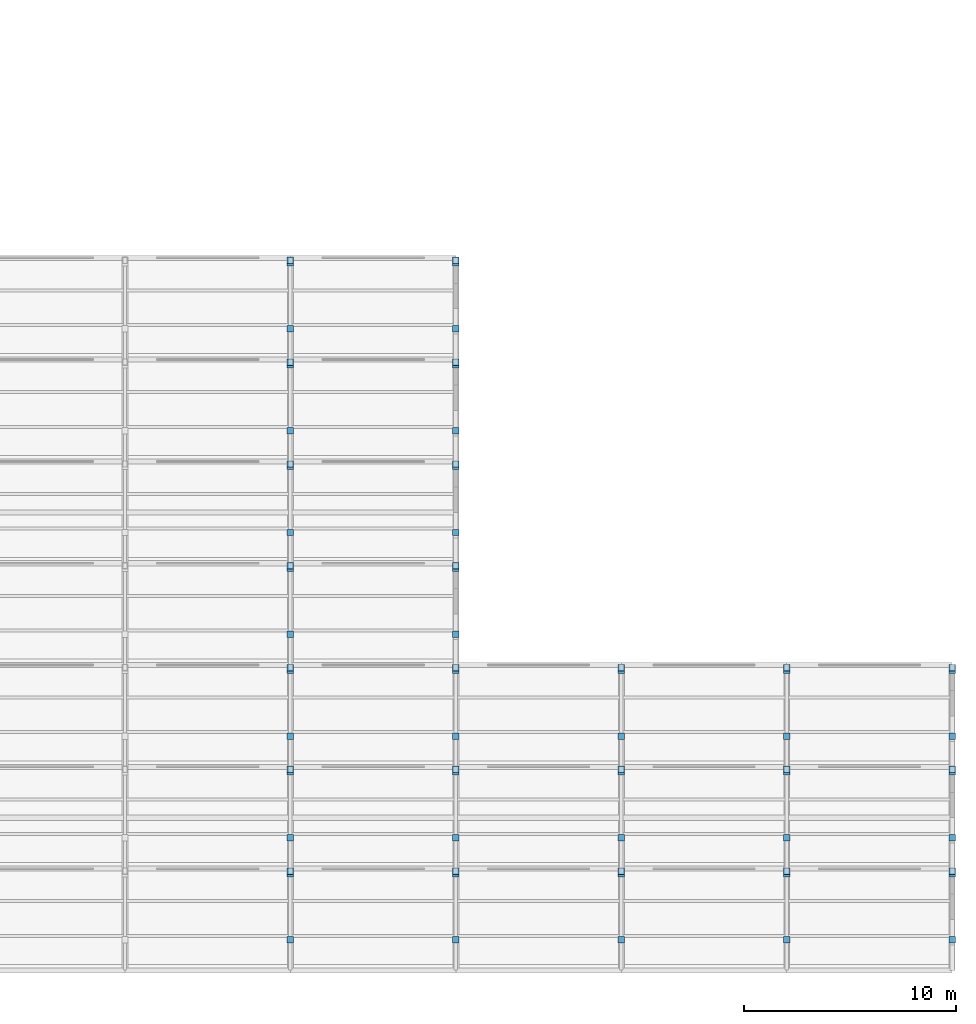
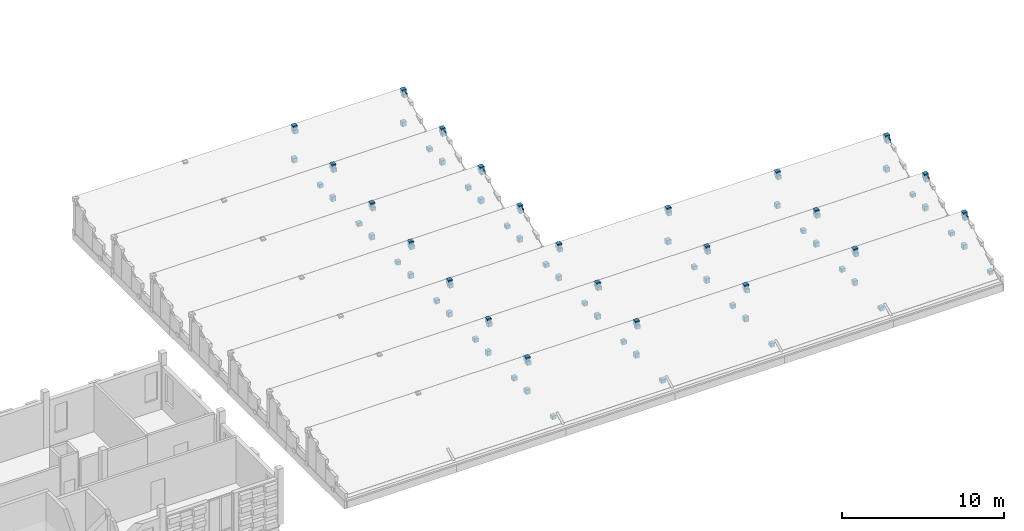
# One storey, part 51 of 81: 92 plates.
"""IFC4 building model written with IfcOpenShell, lengths in metres."""

from ifc_helpers import new_model, si_unit, direction, frame, origin, origin_2d, place, context, subcontext, project, spatial, rectangle, extrude, material, layer, layer_set, type_object, element, save


model = new_model("IFC4")

# Units and contexts
model_context = context("Model", 3, precision=1e-05, world=origin(), true_north=direction((0.0, 1.0)))
body_context = subcontext(model_context, "Body", "Model", "MODEL_VIEW")
ifc_project = project(units=[si_unit("LENGTHUNIT", "METRE"), si_unit("AREAUNIT", "SQUARE_METRE"), si_unit("VOLUMEUNIT", "CUBIC_METRE"), si_unit("PLANEANGLEUNIT", "RADIAN"), si_unit("MASSUNIT", "GRAM", prefix="KILO")], contexts=[model_context])

# Site, building, storey
site_placement = place(None, origin())
site = spatial("IfcSite", under=ifc_project, at=site_placement, CompositionType="ELEMENT")
building_placement = place(site_placement, origin())
building = spatial("IfcBuilding", under=site, at=building_placement, Name="Kahlenmark Community Centre", CompositionType="ELEMENT")
storey_placement = place(building_placement, frame((0.0, 0.0, 9.60009765625)))
storey = spatial("IfcBuildingStorey", under=building, at=storey_placement, Name="L02", CompositionType="ELEMENT", Elevation=9.60009765625)

# Plates
ifc_material = material(Name="Steel S355", Category="steel")
ifc_layer_1 = layer(ifc_material, 0.02392578125)
ifc_layer_set_1 = layer_set([ifc_layer_1], Name="Steel S355")
plate_type_1 = type_object("IfcPlateType", Name="PT-NODE-SN-01-30X30X28", PredefinedType="USERDEFINED", material=ifc_layer_set_1)
for number, where, z_axis, x_axis, name in (
    (1, (137.199951171875, 13.360107421875, 2.080078125), (0.0, 0.0, 1.0), (1.0, 0.0, 0.0), "Steel hollow-node cap plate 0195"),
    (2, (137.199951171875, 10.25, -0.1201171875), (0.0, 0.0, 1.0), (1.0, 0.0, 0.0), "Steel hollow-node cap plate 0196"),
    (3, (145.0, 13.360107421875, 2.080078125), (0.0, 0.0, 1.0), (1.0, 0.0, 0.0), "Steel hollow-node cap plate 0199"),
    (4, (145.0, 10.25, -0.1201171875), (0.0, 0.0, 1.0), (1.0, 0.0, 0.0), "Steel hollow-node cap plate 0200"),
    (5, (152.800048828125, 13.360107421875, 2.080078125), (0.0, 0.0, 1.0), (1.0, 0.0, 0.0), "Steel hollow-node cap plate 0203"),
    (6, (152.800048828125, 10.25, -0.1201171875), (0.0, 0.0, 1.0), (1.0, 0.0, 0.0), "Steel hollow-node cap plate 0204"),
    (7, (160.60009765625, 13.360107421875, 2.080078125), (0.0, 0.0, 1.0), (1.0, 0.0, 0.0), "Steel hollow-node cap plate 0207"),
    (8, (160.60009765625, 10.25, -0.1201171875), (0.0, 0.0, 1.0), (1.0, 0.0, 0.0), "Steel hollow-node cap plate 0208"),
    (9, (168.39990234375, 13.360107421875, 2.080078125), (0.0, 0.0, 1.0), (1.0, 0.0, 0.0), "Steel hollow-node cap plate 0211"),
    (10, (168.39990234375, 10.25, -0.1201171875), (0.0, 0.0, 1.0), (1.0, 0.0, 0.0), "Steel hollow-node cap plate 0212"),
    (11, (137.199951171875, 18.159912109375, 2.080078125), (0.0, 0.0, 1.0), (1.0, 0.0, 0.0), "Steel hollow-node cap plate 0223"),
    (12, (137.199951171875, 15.050048828125, -0.1201171875), (0.0, 0.0, 1.0), (1.0, 0.0, 0.0), "Steel hollow-node cap plate 0224"),
    (13, (145.0, 18.159912109375, 2.080078125), (0.0, 0.0, 1.0), (1.0, 0.0, 0.0), "Steel hollow-node cap plate 0227"),
    (14, (145.0, 15.050048828125, -0.1201171875), (0.0, 0.0, 1.0), (1.0, 0.0, 0.0), "Steel hollow-node cap plate 0228"),
    (15, (152.800048828125, 18.159912109375, 2.080078125), (0.0, 0.0, 1.0), (1.0, 0.0, 0.0), "Steel hollow-node cap plate 0231"),
    (16, (152.800048828125, 15.050048828125, -0.1201171875), (0.0, 0.0, 1.0), (1.0, 0.0, 0.0), "Steel hollow-node cap plate 0232"),
    (17, (160.60009765625, 18.159912109375, 2.080078125), (0.0, 0.0, 1.0), (1.0, 0.0, 0.0), "Steel hollow-node cap plate 0235"),
    (18, (160.60009765625, 15.050048828125, -0.1201171875), (0.0, 0.0, 1.0), (1.0, 0.0, 0.0), "Steel hollow-node cap plate 0236"),
    (19, (168.39990234375, 18.159912109375, 2.080078125), (0.0, 0.0, 1.0), (1.0, 0.0, 0.0), "Steel hollow-node cap plate 0239"),
    (20, (168.39990234375, 15.050048828125, -0.1201171875), (0.0, 0.0, 1.0), (1.0, 0.0, 0.0), "Steel hollow-node cap plate 0240"),
    (21, (137.199951171875, 22.9599609375, 2.080078125), (0.0, 0.0, 1.0), (1.0, 0.0, 0.0), "Steel hollow-node cap plate 0251"),
    (22, (137.199951171875, 19.85009765625, -0.1201171875), (0.0, 0.0, 1.0), (1.0, 0.0, 0.0), "Steel hollow-node cap plate 0252"),
    (23, (145.0, 22.9599609375, 2.080078125), (0.0, 0.0, 1.0), (1.0, 0.0, 0.0), "Steel hollow-node cap plate 0255"),
    (24, (145.0, 19.85009765625, -0.1201171875), (0.0, 0.0, 1.0), (1.0, 0.0, 0.0), "Steel hollow-node cap plate 0256"),
    (25, (152.800048828125, 22.9599609375, 2.080078125), (0.0, 0.0, 1.0), (1.0, 0.0, 0.0), "Steel hollow-node cap plate 0259"),
    (26, (152.800048828125, 19.85009765625, -0.1201171875), (0.0, 0.0, 1.0), (1.0, 0.0, 0.0), "Steel hollow-node cap plate 0260"),
    (27, (160.60009765625, 22.9599609375, 2.080078125), (0.0, 0.0, 1.0), (1.0, 0.0, 0.0), "Steel hollow-node cap plate 0263"),
    (28, (160.60009765625, 19.85009765625, -0.1201171875), (0.0, 0.0, 1.0), (1.0, 0.0, 0.0), "Steel hollow-node cap plate 0264"),
    (29, (168.39990234375, 22.9599609375, 2.080078125), (0.0, 0.0, 1.0), (1.0, 0.0, 0.0), "Steel hollow-node cap plate 0267"),
    (30, (168.39990234375, 19.85009765625, -0.1201171875), (0.0, 0.0, 1.0), (1.0, 0.0, 0.0), "Steel hollow-node cap plate 0268"),
    (31, (137.199951171875, 27.760009765625, 2.080078125), (0.0, 0.0, 1.0), (1.0, 0.0, 0.0), "Steel hollow-node cap plate 0279"),
    (32, (137.199951171875, 24.64990234375, -0.1201171875), (0.0, 0.0, 1.0), (1.0, 0.0, 0.0), "Steel hollow-node cap plate 0280"),
    (33, (145.0, 27.760009765625, 2.080078125), (0.0, 0.0, 1.0), (1.0, 0.0, 0.0), "Steel hollow-node cap plate 0283"),
    (34, (145.0, 24.64990234375, -0.1201171875), (0.0, 0.0, 1.0), (1.0, 0.0, 0.0), "Steel hollow-node cap plate 0284"),
    (35, (137.199951171875, 32.56005859375, 2.080078125), (0.0, 0.0, 1.0), (1.0, 0.0, 0.0), "Steel hollow-node cap plate 0295"),
    (36, (137.199951171875, 29.449951171875, -0.1201171875), (0.0, 0.0, 1.0), (1.0, 0.0, 0.0), "Steel hollow-node cap plate 0296"),
    (37, (145.0, 32.56005859375, 2.080078125), (0.0, 0.0, 1.0), (1.0, 0.0, 0.0), "Steel hollow-node cap plate 0299"),
    (38, (145.0, 29.449951171875, -0.1201171875), (0.0, 0.0, 1.0), (1.0, 0.0, 0.0), "Steel hollow-node cap plate 0300"),
    (39, (137.199951171875, 37.360107421875, 2.080078125), (0.0, 0.0, 1.0), (1.0, 0.0, 0.0), "Steel hollow-node cap plate 0311"),
    (40, (137.199951171875, 34.25, -0.1201171875), (0.0, 0.0, 1.0), (1.0, 0.0, 0.0), "Steel hollow-node cap plate 0312"),
    (41, (145.0, 37.360107421875, 2.080078125), (0.0, 0.0, 1.0), (1.0, 0.0, 0.0), "Steel hollow-node cap plate 0315"),
    (42, (145.0, 34.25, -0.1201171875), (0.0, 0.0, 1.0), (1.0, 0.0, 0.0), "Steel hollow-node cap plate 0316"),
    (43, (137.199951171875, 42.159912109375, 2.080078125), (0.0, 0.0, 1.0), (1.0, 0.0, 0.0), "Steel hollow-node cap plate 0327"),
    (44, (137.199951171875, 39.050048828125, -0.1201171875), (0.0, 0.0, 1.0), (1.0, 0.0, 0.0), "Steel hollow-node cap plate 0328"),
    (45, (145.0, 42.159912109375, 2.080078125), (0.0, 0.0, 1.0), (1.0, 0.0, 0.0), "Steel hollow-node cap plate 0331"),
    (46, (145.0, 39.050048828125, -0.1201171875), (0.0, 0.0, 1.0), (1.0, 0.0, 0.0), "Steel hollow-node cap plate 0332"),
):
    element("IfcPlate", number, at=place(storey_placement, frame(where, z_axis=z_axis, x_axis=x_axis)), inside=storey, type_object=plate_type_1, Name=name, ObjectType="STIFFENER_PLATE", PredefinedType="USERDEFINED", context=body_context, shape_type="SweptSolid", body=[
        extrude(rectangle(XDim=0.300048828125, YDim=0.300048828125, at=origin_2d()), origin(), (0.0, 0.0, 1.0), 0.280029296875),
    ])
ifc_layer_2 = layer(ifc_material, 0.02392578125)
ifc_layer_set_2 = layer_set([ifc_layer_2], Name="Steel S355")
plate_type_2 = type_object("IfcPlateType", Name="PT-NODE-SN-01-30X30X36", PredefinedType="USERDEFINED", material=ifc_layer_set_2)
for number, where, z_axis, x_axis, name in (
    (47, (137.199951171875, 13.47998046875, -0.18017578125), (0.0, 0.0, 1.0), (1.0, 0.0, 0.0), "Steel hollow-node cap plate 0193"),
    (48, (137.199951171875, 13.47998046875, 2.23974609375), (0.0, 0.0, 1.0), (1.0, 0.0, 0.0), "Steel hollow-node cap plate 0194"),
    (49, (145.0, 13.47998046875, -0.18017578125), (0.0, 0.0, 1.0), (1.0, 0.0, 0.0), "Steel hollow-node cap plate 0197"),
    (50, (145.0, 13.47998046875, 2.23974609375), (0.0, 0.0, 1.0), (1.0, 0.0, 0.0), "Steel hollow-node cap plate 0198"),
    (51, (152.800048828125, 13.47998046875, -0.18017578125), (0.0, 0.0, 1.0), (1.0, 0.0, 0.0), "Steel hollow-node cap plate 0201"),
    (52, (152.800048828125, 13.47998046875, 2.23974609375), (0.0, 0.0, 1.0), (1.0, 0.0, 0.0), "Steel hollow-node cap plate 0202"),
    (53, (160.60009765625, 13.47998046875, -0.18017578125), (0.0, 0.0, 1.0), (1.0, 0.0, 0.0), "Steel hollow-node cap plate 0205"),
    (54, (160.60009765625, 13.47998046875, 2.23974609375), (0.0, 0.0, 1.0), (1.0, 0.0, 0.0), "Steel hollow-node cap plate 0206"),
    (55, (168.39990234375, 13.47998046875, -0.18017578125), (0.0, 0.0, 1.0), (1.0, 0.0, 0.0), "Steel hollow-node cap plate 0209"),
    (56, (168.39990234375, 13.47998046875, 2.23974609375), (0.0, 0.0, 1.0), (1.0, 0.0, 0.0), "Steel hollow-node cap plate 0210"),
    (57, (137.199951171875, 18.280029296875, -0.18017578125), (0.0, 0.0, 1.0), (1.0, 0.0, 0.0), "Steel hollow-node cap plate 0221"),
    (58, (137.199951171875, 18.280029296875, 2.23974609375), (0.0, 0.0, 1.0), (1.0, 0.0, 0.0), "Steel hollow-node cap plate 0222"),
    (59, (145.0, 18.280029296875, -0.18017578125), (0.0, 0.0, 1.0), (1.0, 0.0, 0.0), "Steel hollow-node cap plate 0225"),
    (60, (145.0, 18.280029296875, 2.23974609375), (0.0, 0.0, 1.0), (1.0, 0.0, 0.0), "Steel hollow-node cap plate 0226"),
    (61, (152.800048828125, 18.280029296875, -0.18017578125), (0.0, 0.0, 1.0), (1.0, 0.0, 0.0), "Steel hollow-node cap plate 0229"),
    (62, (152.800048828125, 18.280029296875, 2.23974609375), (0.0, 0.0, 1.0), (1.0, 0.0, 0.0), "Steel hollow-node cap plate 0230"),
    (63, (160.60009765625, 18.280029296875, -0.18017578125), (0.0, 0.0, 1.0), (1.0, 0.0, 0.0), "Steel hollow-node cap plate 0233"),
    (64, (160.60009765625, 18.280029296875, 2.23974609375), (0.0, 0.0, 1.0), (1.0, 0.0, 0.0), "Steel hollow-node cap plate 0234"),
    (65, (168.39990234375, 18.280029296875, -0.18017578125), (0.0, 0.0, 1.0), (1.0, 0.0, 0.0), "Steel hollow-node cap plate 0237"),
    (66, (168.39990234375, 18.280029296875, 2.23974609375), (0.0, 0.0, 1.0), (1.0, 0.0, 0.0), "Steel hollow-node cap plate 0238"),
    (67, (137.199951171875, 23.080078125, -0.18017578125), (0.0, 0.0, 1.0), (1.0, 0.0, 0.0), "Steel hollow-node cap plate 0249"),
    (68, (137.199951171875, 23.080078125, 2.23974609375), (0.0, 0.0, 1.0), (1.0, 0.0, 0.0), "Steel hollow-node cap plate 0250"),
    (69, (145.0, 23.080078125, -0.18017578125), (0.0, 0.0, 1.0), (1.0, 0.0, 0.0), "Steel hollow-node cap plate 0253"),
    (70, (145.0, 23.080078125, 2.23974609375), (0.0, 0.0, 1.0), (1.0, 0.0, 0.0), "Steel hollow-node cap plate 0254"),
    (71, (152.800048828125, 23.080078125, -0.18017578125), (0.0, 0.0, 1.0), (1.0, 0.0, 0.0), "Steel hollow-node cap plate 0257"),
    (72, (152.800048828125, 23.080078125, 2.23974609375), (0.0, 0.0, 1.0), (1.0, 0.0, 0.0), "Steel hollow-node cap plate 0258"),
    (73, (160.60009765625, 23.080078125, -0.18017578125), (0.0, 0.0, 1.0), (1.0, 0.0, 0.0), "Steel hollow-node cap plate 0261"),
    (74, (160.60009765625, 23.080078125, 2.23974609375), (0.0, 0.0, 1.0), (1.0, 0.0, 0.0), "Steel hollow-node cap plate 0262"),
    (75, (168.39990234375, 23.080078125, -0.18017578125), (0.0, 0.0, 1.0), (1.0, 0.0, 0.0), "Steel hollow-node cap plate 0265"),
    (76, (168.39990234375, 23.080078125, 2.23974609375), (0.0, 0.0, 1.0), (1.0, 0.0, 0.0), "Steel hollow-node cap plate 0266"),
    (77, (137.199951171875, 27.8798828125, -0.18017578125), (0.0, 0.0, 1.0), (1.0, 0.0, 0.0), "Steel hollow-node cap plate 0277"),
    (78, (137.199951171875, 27.8798828125, 2.23974609375), (0.0, 0.0, 1.0), (1.0, 0.0, 0.0), "Steel hollow-node cap plate 0278"),
    (79, (145.0, 27.8798828125, -0.18017578125), (0.0, 0.0, 1.0), (1.0, 0.0, 0.0), "Steel hollow-node cap plate 0281"),
    (80, (145.0, 27.8798828125, 2.23974609375), (0.0, 0.0, 1.0), (1.0, 0.0, 0.0), "Steel hollow-node cap plate 0282"),
    (81, (137.199951171875, 32.679931640625, -0.18017578125), (0.0, 0.0, 1.0), (1.0, 0.0, 0.0), "Steel hollow-node cap plate 0293"),
    (82, (137.199951171875, 32.679931640625, 2.23974609375), (0.0, 0.0, 1.0), (1.0, 0.0, 0.0), "Steel hollow-node cap plate 0294"),
    (83, (145.0, 32.679931640625, -0.18017578125), (0.0, 0.0, 1.0), (1.0, 0.0, 0.0), "Steel hollow-node cap plate 0297"),
    (84, (145.0, 32.679931640625, 2.23974609375), (0.0, 0.0, 1.0), (1.0, 0.0, 0.0), "Steel hollow-node cap plate 0298"),
    (85, (137.199951171875, 37.47998046875, -0.18017578125), (0.0, 0.0, 1.0), (1.0, 0.0, 0.0), "Steel hollow-node cap plate 0309"),
    (86, (137.199951171875, 37.47998046875, 2.23974609375), (0.0, 0.0, 1.0), (1.0, 0.0, 0.0), "Steel hollow-node cap plate 0310"),
    (87, (145.0, 37.47998046875, -0.18017578125), (0.0, 0.0, 1.0), (1.0, 0.0, 0.0), "Steel hollow-node cap plate 0313"),
    (88, (145.0, 37.47998046875, 2.23974609375), (0.0, 0.0, 1.0), (1.0, 0.0, 0.0), "Steel hollow-node cap plate 0314"),
    (89, (137.199951171875, 42.280029296875, -0.18017578125), (0.0, 0.0, 1.0), (1.0, 0.0, 0.0), "Steel hollow-node cap plate 0325"),
    (90, (137.199951171875, 42.280029296875, 2.23974609375), (0.0, 0.0, 1.0), (1.0, 0.0, 0.0), "Steel hollow-node cap plate 0326"),
    (91, (145.0, 42.280029296875, -0.18017578125), (0.0, 0.0, 1.0), (1.0, 0.0, 0.0), "Steel hollow-node cap plate 0329"),
    (92, (145.0, 42.280029296875, 2.23974609375), (0.0, 0.0, 1.0), (1.0, 0.0, 0.0), "Steel hollow-node cap plate 0330"),
):
    element("IfcPlate", number, at=place(storey_placement, frame(where, z_axis=z_axis, x_axis=x_axis)), inside=storey, type_object=plate_type_2, Name=name, ObjectType="STIFFENER_PLATE", PredefinedType="USERDEFINED", context=body_context, shape_type="SweptSolid", body=[
        extrude(rectangle(XDim=0.300048828125, YDim=0.300048828125, at=origin_2d()), origin(), (0.0, 0.0, 1.0), 0.360107421875),
    ])

save(model, "model.ifc")
